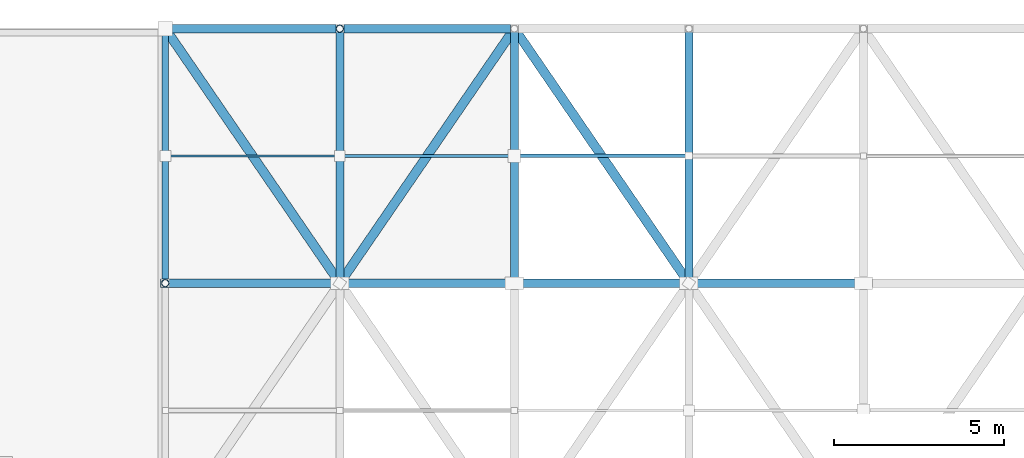
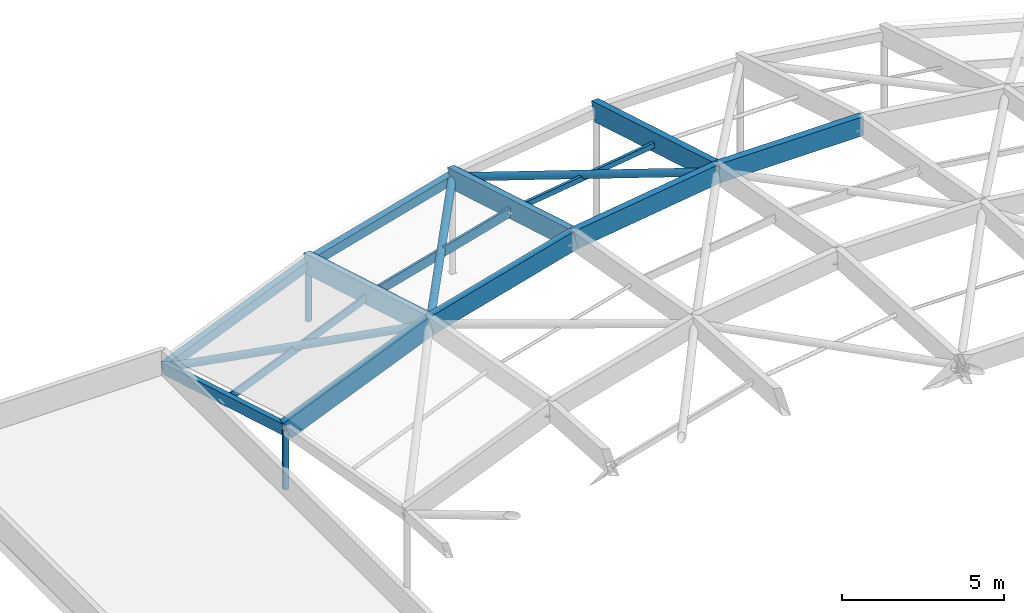
# One storey, part 44 of 81: 18 members.
"""IFC4 building model written with IfcOpenShell, lengths in metres."""

from ifc_helpers import new_model, si_unit, direction, frame, origin, origin_2d, place, context, subcontext, project, spatial, rectangle, hollow_rectangle, hollow_circle, extrude, material, material_profile, profile_set, type_object, element, save


model = new_model("IFC4")

# Units and contexts
model_context = context("Model", 3, precision=1e-05, world=origin(), true_north=direction((0.0, 1.0)))
body_context = subcontext(model_context, "Body", "Model", "MODEL_VIEW")
ifc_project = project(units=[si_unit("LENGTHUNIT", "METRE"), si_unit("AREAUNIT", "SQUARE_METRE"), si_unit("VOLUMEUNIT", "CUBIC_METRE"), si_unit("PLANEANGLEUNIT", "RADIAN"), si_unit("MASSUNIT", "GRAM", prefix="KILO")], contexts=[model_context])

# Site, building, storey
site_placement = place(None, origin())
site = spatial("IfcSite", under=ifc_project, at=site_placement, CompositionType="ELEMENT")
building_placement = place(site_placement, origin())
building = spatial("IfcBuilding", under=site, at=building_placement, Name="Marnridge Secondary College", CompositionType="ELEMENT")
storey_placement = place(building_placement, frame((0.0, 0.0, 8.5)))
storey = spatial("IfcBuildingStorey", under=building, at=storey_placement, Name="L02", CompositionType="ELEMENT", Elevation=8.5)

# Members
ifc_material_1 = material(Name="Cold-formed steel Grade C350L0 (AS/NZS 1163, fy = 350 MPa)", Category="steel")
ifc_material_profile_1 = material_profile(ifc_material_1, hollow_circle(Radius=0.109619140625, WallThickness=0.00830078125, at=origin_2d()), Name="219.1x8.2CHS")
ifc_profile_set_1 = profile_set([ifc_material_profile_1], Name="Cold-formed steel Grade C350L0 (AS/NZS 1163, fy = 350 MPa)")
member_type_1 = type_object("IfcMemberType", Name="MB-GS-CHS219", PredefinedType="BRACE", material=ifc_profile_set_1)
member_1_placement = place(storey_placement, frame((135.0, 112.5, 0.090087890625), z_axis=(0.0, 0.0, 1.0), x_axis=(1.0, 0.0, 0.0)))
element("IfcMember", 1, at=member_1_placement, inside=storey, type_object=member_type_1, Name="Gridshell boundary post GSP-0005", PredefinedType="BRACE", context=body_context, shape_type="SweptSolid", body=[
    extrude(hollow_circle(Radius=0.109619140625, WallThickness=0.00830078125, at=origin_2d()), origin(), (0.0, 0.0, 1.0), 2.252197265625),
])
member_2_placement = place(storey_placement, frame((140.142822265625, 120.0, 0.090087890625), z_axis=(0.0, 0.0, 1.0), x_axis=(1.0, 0.0, 0.0)))
element("IfcMember", 2, at=member_2_placement, inside=storey, type_object=member_type_1, Name="Gridshell boundary post GSP-0007", PredefinedType="BRACE", context=body_context, shape_type="SweptSolid", body=[
    extrude(hollow_circle(Radius=0.109619140625, WallThickness=0.00830078125, at=origin_2d()), origin(), (0.0, 0.0, 1.0), 2.18505859375),
])
ifc_material_2 = material(Name="Cold-formed steel Grade C350L0 (AS/NZS 1163, fy = 350 MPa)", Category="steel")
ifc_material_profile_2 = material_profile(ifc_material_2, hollow_circle(Radius=0.136474609375, WallThickness=0.00927734375, at=origin_2d()), Name="273.1x9.3CHS")
ifc_profile_set_2 = profile_set([ifc_material_profile_2], Name="Cold-formed steel Grade C350L0 (AS/NZS 1163, fy = 350 MPa)")
member_type_2 = type_object("IfcMemberType", Name="MB-GS-CHS273", PredefinedType="BRACE", material=ifc_profile_set_2)
member_3_placement = place(storey_placement, frame((140.142822265625, 112.5, 4.477294921875), z_axis=(-0.509568914778, 0.743126373699, -0.433708097463), x_axis=(-0.824730640628, -0.565525746902, 0.0)))
element("IfcMember", 3, at=member_3_placement, inside=storey, type_object=member_type_2, Name="Gridshell member GR-0103", PredefinedType="BRACE", context=body_context, shape_type="SweptSolid", body=[
    extrude(hollow_circle(Radius=0.136474609375, WallThickness=0.00927734375, at=origin_2d()), origin(), (0.0, 0.0, 1.0), 10.092529296875),
])
member_4_placement = place(storey_placement, frame((140.142822265625, 112.5, 4.477294921875), z_axis=(0.563428328658, 0.821671884945, -0.086045522587), x_axis=(-0.824730640628, 0.565525746902, 0.0)))
element("IfcMember", 4, at=member_4_placement, inside=storey, type_object=member_type_2, Name="Gridshell member GR-0109", PredefinedType="BRACE", context=body_context, shape_type="SweptSolid", body=[
    extrude(hollow_circle(Radius=0.136474609375, WallThickness=0.00927734375, at=origin_2d()), origin(), (0.0, 0.0, 1.0), 9.127685546875),
])
member_5_placement = place(storey_placement, frame((150.4287109375, 112.5, 6.63232421875), z_axis=(-0.538114100436, 0.784717799553, -0.307654335215), x_axis=(-0.824718119143, -0.565544007092, 0.0)))
element("IfcMember", 5, at=member_5_placement, inside=storey, type_object=member_type_2, Name="Gridshell member GR-0115", PredefinedType="BRACE", context=body_context, shape_type="SweptSolid", body=[
    extrude(hollow_circle(Radius=0.136474609375, WallThickness=0.00927734375, at=origin_2d()), origin(), (0.0, 0.0, 1.0), 9.5576171875),
])
ifc_material_3 = material(Name="Glulam timber GL18", Category="wood")
ifc_material_profile_3 = material_profile(ifc_material_3, rectangle(XDim=0.239990234375, YDim=0.719970703125, at=origin_2d()), Name="GL18 240x720")
ifc_profile_set_3 = profile_set([ifc_material_profile_3], Name="Glulam timber GL18")
member_type_3 = type_object("IfcMemberType", Name="MB-GS-GL720", PredefinedType="CHORD", material=ifc_profile_set_3)
for number, where, z_axis, x_axis, name in (
    (6, (140.142822265625, 112.5, 4.477294921875), (0.0, 0.958800001874, -0.28408195368), (-1.0, 0.0, 0.0), "Gridshell member GR-0012"),
    (7, (145.28564453125, 112.5, 5.9140625), (0.0, 0.958800001874, -0.28408195368), (-1.0, 0.0, 0.0), "Gridshell member GR-0018"),
    (8, (150.4287109375, 112.5, 6.63232421875), (0.0, 0.958800001874, -0.28408195368), (-1.0, 0.0, 0.0), "Gridshell member GR-0024"),
):
    element("IfcMember", number, at=place(storey_placement, frame(where, z_axis=z_axis, x_axis=x_axis)), inside=storey, type_object=member_type_3, Name=name, PredefinedType="CHORD", context=body_context, shape_type="SweptSolid", body=[
        extrude(rectangle(XDim=0.239990234375, YDim=0.719970703125, at=origin_2d()), origin(), (0.0, 0.0, 1.0), 7.822265625),
    ])
member_6_placement = place(storey_placement, frame((135.0, 112.5, 2.322265625), z_axis=(0.922299118379, 0.0, 0.386476824967), x_axis=(0.0, 1.0, 0.0)))
element("IfcMember", 9, at=member_6_placement, inside=storey, type_object=member_type_3, Name="Gridshell member GR-0084", PredefinedType="CHORD", context=body_context, shape_type="SweptSolid", body=[
    extrude(rectangle(XDim=0.239990234375, YDim=0.719970703125, at=origin_2d()), origin(), (0.0, 0.0, 1.0), 5.576171875),
])
member_7_placement = place(storey_placement, frame((140.142822265625, 112.5, 4.477294921875), z_axis=(0.963120557911, 0.0, 0.269070234194), x_axis=(0.0, 1.0, 0.0)))
element("IfcMember", 10, at=member_7_placement, inside=storey, type_object=member_type_3, Name="Gridshell member GR-0085", PredefinedType="CHORD", context=body_context, shape_type="SweptSolid", body=[
    extrude(rectangle(XDim=0.239990234375, YDim=0.719970703125, at=origin_2d()), origin(), (0.0, 0.0, 1.0), 5.33984375),
])
member_8_placement = place(storey_placement, frame((145.28564453125, 112.5, 5.9140625), z_axis=(0.990388427346, 0.0, 0.138314001389), x_axis=(0.0, 1.0, 0.0)))
element("IfcMember", 11, at=member_8_placement, inside=storey, type_object=member_type_3, Name="Gridshell member GR-0086", PredefinedType="CHORD", context=body_context, shape_type="SweptSolid", body=[
    extrude(rectangle(XDim=0.239990234375, YDim=0.719970703125, at=origin_2d()), origin(), (0.0, 0.0, 1.0), 5.19287109375),
])
member_9_placement = place(storey_placement, frame((150.4287109375, 112.5, 6.63232421875), z_axis=(1.0, 0.0, 0.0), x_axis=(0.0, 1.0, 0.0)))
element("IfcMember", 12, at=member_9_placement, inside=storey, type_object=member_type_3, Name="Gridshell member GR-0087", PredefinedType="CHORD", context=body_context, shape_type="SweptSolid", body=[
    extrude(rectangle(XDim=0.239990234375, YDim=0.719970703125, at=origin_2d()), origin(), (0.0, 0.0, 1.0), 5.142578125),
])
ifc_material_4 = material(Name="Cold-formed steel Grade C350L0 (AS/NZS 1163, fy = 350 MPa)", Category="steel")
ifc_material_profile_4 = material_profile(ifc_material_4, hollow_rectangle(XDim=0.25, YDim=0.35009765625, WallThickness=0.010009765625, at=origin_2d()), Name="350x250x10.0RHS")
ifc_profile_set_4 = profile_set([ifc_material_profile_4], Name="Cold-formed steel Grade C350L0 (AS/NZS 1163, fy = 350 MPa)")
member_type_4 = type_object("IfcMemberType", Name="MB-GS-RHS350", PredefinedType="CHORD", material=ifc_profile_set_4)
member_10_placement = place(storey_placement, frame((135.0, 120.0, 0.10009765625), z_axis=(0.922299118379, 0.0, 0.386476824967), x_axis=(0.0, 1.0, 0.0)))
element("IfcMember", 13, at=member_10_placement, inside=storey, type_object=member_type_4, Name="Gridshell member GR-0091", PredefinedType="CHORD", context=body_context, shape_type="SweptSolid", body=[
    extrude(hollow_rectangle(XDim=0.25, YDim=0.35009765625, WallThickness=0.010009765625, at=origin_2d()), origin(), (0.0, 0.0, 1.0), 5.576171875),
])
member_11_placement = place(storey_placement, frame((140.142822265625, 120.0, 2.255126953125), z_axis=(0.963120557911, 0.0, 0.269070234194), x_axis=(0.0, 1.0, 0.0)))
element("IfcMember", 14, at=member_11_placement, inside=storey, type_object=member_type_4, Name="Gridshell member GR-0092", PredefinedType="CHORD", context=body_context, shape_type="SweptSolid", body=[
    extrude(hollow_rectangle(XDim=0.25, YDim=0.35009765625, WallThickness=0.010009765625, at=origin_2d()), origin(), (0.0, 0.0, 1.0), 5.33984375),
])
ifc_material_5 = material(Name="Cold-formed steel Grade C350L0 (AS/NZS 1163, fy = 350 MPa)", Category="steel")
ifc_material_profile_5 = material_profile(ifc_material_5, hollow_rectangle(XDim=0.199951171875, YDim=0.39990234375, WallThickness=0.010009765625, at=origin_2d()), Name="400x200x10.0RHS")
ifc_profile_set_5 = profile_set([ifc_material_profile_5], Name="Cold-formed steel Grade C350L0 (AS/NZS 1163, fy = 350 MPa)")
member_type_5 = type_object("IfcMemberType", Name="MB-GS-RHS400", PredefinedType="CHORD", material=ifc_profile_set_5)
member_12_placement = place(storey_placement, frame((135.0, 112.5, 2.322265625), z_axis=(0.0, 0.958800001874, -0.28408195368), x_axis=(-1.0, 0.0, 0.0)))
element("IfcMember", 15, at=member_12_placement, inside=storey, type_object=member_type_5, Name="Gridshell member GR-0006", PredefinedType="CHORD", context=body_context, shape_type="SweptSolid", body=[
    extrude(hollow_rectangle(XDim=0.199951171875, YDim=0.39990234375, WallThickness=0.010009765625, at=origin_2d()), origin(), (0.0, 0.0, 1.0), 7.822265625),
])
ifc_material_6 = material(Name="Engineered timber LVL E13.2", Category="wood")
ifc_material_profile_6 = material_profile(ifc_material_6, rectangle(XDim=0.06298828125, YDim=0.300048828125, at=origin_2d()), Name="LVL 63x300")
ifc_profile_set_6 = profile_set([ifc_material_profile_6], Name="Engineered timber LVL E13.2")
member_type_6 = type_object("IfcMemberType", Name="MB-PR-LVL300", PredefinedType="PURLIN", material=ifc_profile_set_6)
member_13_placement = place(storey_placement, frame((135.0, 116.25, 1.131103515625), z_axis=(0.922299118379, 0.0, 0.386476824967), x_axis=(0.0, 1.0, 0.0)))
element("IfcMember", 16, at=member_13_placement, inside=storey, type_object=member_type_6, Name="Gridshell purlin PR-0028", PredefinedType="PURLIN", context=body_context, shape_type="SweptSolid", body=[
    extrude(rectangle(XDim=0.06298828125, YDim=0.300048828125, at=origin_2d()), origin(), (0.0, 0.0, 1.0), 5.576171875),
])
ifc_material_7 = material(Name="Engineered timber LVL E13.2", Category="wood")
ifc_material_profile_7 = material_profile(ifc_material_7, rectangle(XDim=0.090087890625, YDim=0.360107421875, at=origin_2d()), Name="LVL 90x360")
ifc_profile_set_7 = profile_set([ifc_material_profile_7], Name="Engineered timber LVL E13.2")
member_type_7 = type_object("IfcMemberType", Name="MB-PR-LVL360", PredefinedType="PURLIN", material=ifc_profile_set_7)
member_14_placement = place(storey_placement, frame((140.142822265625, 116.25, 3.2861328125), z_axis=(0.963120557911, 0.0, 0.269070234194), x_axis=(0.0, 1.0, 0.0)))
element("IfcMember", 17, at=member_14_placement, inside=storey, type_object=member_type_7, Name="Gridshell purlin PR-0034", PredefinedType="PURLIN", context=body_context, shape_type="SweptSolid", body=[
    extrude(rectangle(XDim=0.090087890625, YDim=0.360107421875, at=origin_2d()), origin(), (0.0, 0.0, 1.0), 5.33984375),
])
ifc_material_8 = material(Name="Cold-formed steel Grade C350L0 (AS/NZS 1163, fy = 350 MPa)", Category="steel")
ifc_material_profile_8 = material_profile(ifc_material_8, hollow_rectangle(XDim=0.10009765625, YDim=0.199951171875, WallThickness=0.006103515625, at=origin_2d()), Name="200x100x6.0RHS")
ifc_profile_set_8 = profile_set([ifc_material_profile_8], Name="Cold-formed steel Grade C350L0 (AS/NZS 1163, fy = 350 MPa)")
member_type_8 = type_object("IfcMemberType", Name="MB-PR-RHS200", PredefinedType="PURLIN", material=ifc_profile_set_8)
member_15_placement = place(storey_placement, frame((145.28564453125, 116.25, 4.722900390625), z_axis=(0.990381986176, 0.0, 0.138360115129), x_axis=(0.0, 1.0, 0.0)))
element("IfcMember", 18, at=member_15_placement, inside=storey, type_object=member_type_8, Name="Gridshell purlin PR-0040", PredefinedType="PURLIN", context=body_context, shape_type="SweptSolid", body=[
    extrude(hollow_rectangle(XDim=0.10009765625, YDim=0.199951171875, WallThickness=0.006103515625, at=origin_2d()), origin(), (0.0, 0.0, 1.0), 5.193115234375),
])

save(model, "model.ifc")
